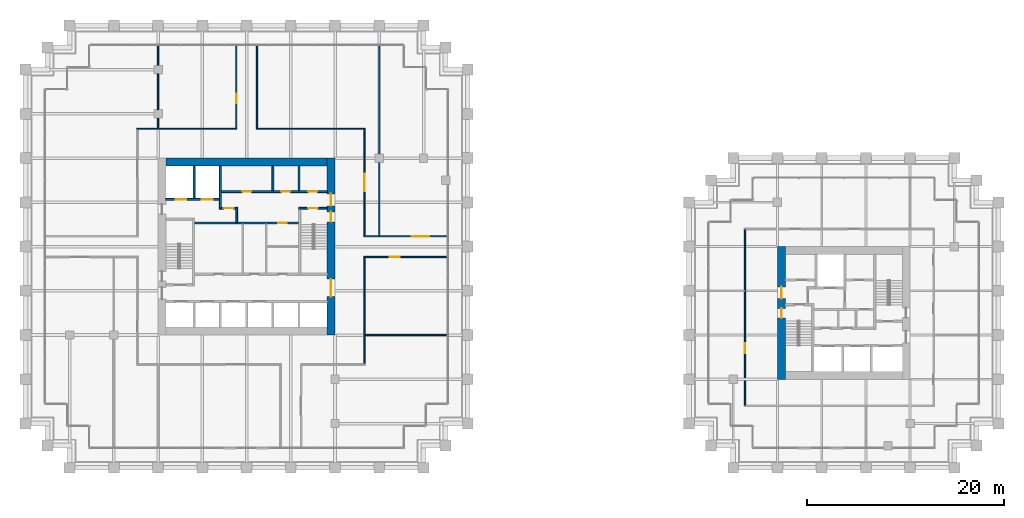
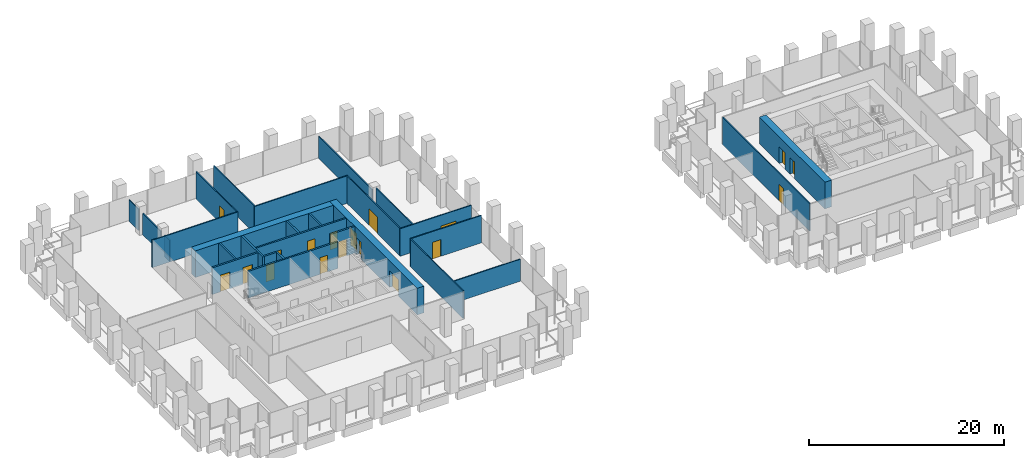
# One storey, part 51 of 54: 28 walls, 18 doors, 18 openings.
"""IFC4 building model written with IfcOpenShell, lengths in metres."""

from ifc_helpers import new_model, si_unit, direction, frame, frame_2d, origin, place, context, subcontext, project, spatial, rectangle, extrude, material, layer, layer_set, type_object, element, fill, save


model = new_model("IFC4")

# Units and contexts
model_context = context("Model", 3, precision=1e-05, world=origin(), true_north=direction((0.0, 1.0)))
body_context = subcontext(model_context, "Body", "Model", "MODEL_VIEW")
ifc_project = project(units=[si_unit("LENGTHUNIT", "METRE"), si_unit("AREAUNIT", "SQUARE_METRE"), si_unit("VOLUMEUNIT", "CUBIC_METRE"), si_unit("PLANEANGLEUNIT", "RADIAN"), si_unit("MASSUNIT", "GRAM", prefix="KILO")], contexts=[model_context])

# Site, building, storey
site_placement = place(None, origin())
site = spatial("IfcSite", under=ifc_project, at=site_placement, CompositionType="ELEMENT")
building_placement = place(site_placement, origin())
building = spatial("IfcBuilding", under=site, at=building_placement, Name="Altepetl Exchange Towers", CompositionType="ELEMENT")
storey_placement = place(building_placement, frame((0.0, 0.0, 65.39990234375)))
storey = spatial("IfcBuildingStorey", under=building, at=storey_placement, Name="L15", CompositionType="ELEMENT", Elevation=65.39990234375)

# Wall, openings, doors
ifc_material_1 = material(Name="Concrete C70/85", Category="concrete")
ifc_layer_1 = layer(ifc_material_1, 0.800048828125)
ifc_layer_set_1 = layer_set([ifc_layer_1], Name="Concrete C70/85")
wall_type_1 = type_object("IfcWallType", Name="Core wall 800 reinforced concrete", PredefinedType="SHEAR", material=ifc_layer_set_1)
wall_1_placement = place(storey_placement, frame((58.10009765625, 40.5, 0.0), z_axis=(0.0, 0.0, 1.0), x_axis=(0.0, 1.0, 0.0)))
wall_1 = element("IfcWall", 1, at=wall_1_placement, inside=storey, type_object=wall_type_1, Name="wall:A:L15:K-coreE", PredefinedType="SHEAR", context=body_context, shape_type="SweptSolid", body=[
    extrude(rectangle(XDim=18.0, YDim=0.800048828125, at=frame_2d((9.0, 0.0))), origin(), (0.0, 0.0, 1.0), 3.35009765625),
])
opening_1_placement = place(wall_1_placement, frame((13.14990234375, 0.0, 0.0)))
opening_1 = element("IfcOpeningElement", 2, at=opening_1_placement, cuts=wall_1, Name="Opening L15.A60", PredefinedType="OPENING", context=body_context, shape_type="SweptSolid", body=[
    extrude(rectangle(XDim=1.199951171875, YDim=2.10009765625, at=frame_2d((0.60009765625, 1.050048828125))), frame((0.0, 0.41015625, 0.0), z_axis=(0.0, -1.0, 0.0), x_axis=(1.0, 0.0, 0.0)), (0.0, 0.0, 1.0), 0.820068359375),
])
opening_2_placement = place(wall_1_placement, frame((3.89990234375, 0.0, 0.0)))
opening_2 = element("IfcOpeningElement", 3, at=opening_2_placement, cuts=wall_1, Name="Opening L15.A61", PredefinedType="OPENING", context=body_context, shape_type="SweptSolid", body=[
    extrude(rectangle(XDim=1.800048828125, YDim=2.10009765625, at=frame_2d((0.89990234375, 1.050048828125))), frame((0.0, 0.41015625, 0.0), z_axis=(0.0, -1.0, 0.0), x_axis=(1.0, 0.0, 0.0)), (0.0, 0.0, 1.0), 0.820068359375),
])
opening_3_placement = place(wall_1_placement, frame((11.52490234375, 0.0, 0.0)))
opening_3 = element("IfcOpeningElement", 4, at=opening_3_placement, cuts=wall_1, Name="Opening L15.A66", PredefinedType="OPENING", context=body_context, shape_type="SweptSolid", body=[
    extrude(rectangle(XDim=1.0, YDim=2.10009765625, at=frame_2d((0.5, 1.050048828125))), frame((0.0, 0.41015625, 0.0), z_axis=(0.0, -1.0, 0.0), x_axis=(1.0, 0.0, 0.0)), (0.0, 0.0, 1.0), 0.820068359375),
])
ifc_material_2 = material(Name="Steel and timber fire door", Category="steel")
door_type_1 = type_object("IfcDoorType", Name="Fire door 1000 x 2100 stair and lobby", OperationType="SINGLE_SWING_LEFT", PredefinedType="DOOR", material=ifc_material_2)
door_1_placement = place(opening_3_placement, origin())
door_1 = element("IfcDoor", 5, at=door_1_placement, inside=storey, type_object=door_type_1, Name="door:A:L15:K-dS2x", OperationType="SINGLE_SWING_RIGHT", OverallHeight=2.10009765625, OverallWidth=1.0, PredefinedType="DOOR", context=body_context, shape_type="SweptSolid", body=[
    extrude(rectangle(XDim=1.0, YDim=2.10009765625, at=frame_2d((0.5, 1.050048828125))), frame((0.0, 0.02490234375, 0.0), z_axis=(0.0, -1.0, 0.0), x_axis=(1.0, 0.0, 0.0)), (0.0, 0.0, 1.0), 0.050048828125),
])
fill(opening_3, door_1)
door_type_2 = type_object("IfcDoorType", Name="Fire door 1200 x 2100 lobby entry", OperationType="SINGLE_SWING_LEFT", PredefinedType="DOOR", material=ifc_material_2)
door_2_placement = place(opening_1_placement, origin())
door_2 = element("IfcDoor", 6, at=door_2_placement, inside=storey, type_object=door_type_2, Name="door:A:L15:K-dLNE", OperationType="SINGLE_SWING_RIGHT", OverallHeight=2.10009765625, OverallWidth=1.199951171875, PredefinedType="DOOR", context=body_context, shape_type="SweptSolid", body=[
    extrude(rectangle(XDim=1.199951171875, YDim=2.10009765625, at=frame_2d((0.60009765625, 1.050048828125))), frame((0.0, 0.02490234375, 0.0), z_axis=(0.0, -1.0, 0.0), x_axis=(1.0, 0.0, 0.0)), (0.0, 0.0, 1.0), 0.050048828125),
])
fill(opening_1, door_2)
door_type_3 = type_object("IfcDoorType", Name="Fire door 1800 x 2100 lobby entry", OperationType="DOUBLE_DOOR_SINGLE_SWING", PredefinedType="DOOR", material=ifc_material_2)
door_3_placement = place(opening_2_placement, origin())
door_3 = element("IfcDoor", 7, at=door_3_placement, inside=storey, type_object=door_type_3, Name="door:A:L15:K-dLSE", OperationType="DOUBLE_DOOR_SINGLE_SWING", OverallHeight=2.10009765625, OverallWidth=1.800048828125, PredefinedType="DOOR", context=body_context, shape_type="SweptSolid", body=[
    extrude(rectangle(XDim=1.800048828125, YDim=2.10009765625, at=frame_2d((0.89990234375, 1.050048828125))), frame((0.0, 0.02490234375, 0.0), z_axis=(0.0, -1.0, 0.0), x_axis=(1.0, 0.0, 0.0)), (0.0, 0.0, 1.0), 0.050048828125),
])
fill(opening_2, door_3)

# Wall
wall_2_placement = place(storey_placement, frame((41.300048828125, 58.10009765625, 0.0)))
element("IfcWall", 8, at=wall_2_placement, inside=storey, type_object=wall_type_1, Name="wall:A:L15:K-coreN", PredefinedType="SHEAR", context=body_context, shape_type="SweptSolid", body=[
    extrude(rectangle(XDim=16.39990234375, YDim=0.800048828125, at=frame_2d((8.199951171875, 0.0))), origin(), (0.0, 0.0, 1.0), 3.35009765625),
])

# Wall, openings, doors
wall_3_placement = place(storey_placement, frame((103.89990234375, 36.0, 0.0), z_axis=(0.0, 0.0, 1.0), x_axis=(0.0, 1.0, 0.0)))
wall_3 = element("IfcWall", 9, at=wall_3_placement, inside=storey, type_object=wall_type_1, Name="wall:B:L15:K-coreW", PredefinedType="SHEAR", context=body_context, shape_type="SweptSolid", body=[
    extrude(rectangle(XDim=13.5, YDim=0.800048828125, at=frame_2d((6.75, 0.0))), origin(), (0.0, 0.0, 1.0), 3.35009765625),
])
opening_4_placement = place(wall_3_placement, frame((8.199951171875, 0.0, 0.0)))
opening_4 = element("IfcOpeningElement", 10, at=opening_4_placement, cuts=wall_3, Name="Opening L15.B60", PredefinedType="OPENING", context=body_context, shape_type="SweptSolid", body=[
    extrude(rectangle(XDim=1.199951171875, YDim=2.10009765625, at=frame_2d((0.60009765625, 1.050048828125))), frame((0.0, 0.41015625, 0.0), z_axis=(0.0, -1.0, 0.0), x_axis=(1.0, 0.0, 0.0)), (0.0, 0.0, 1.0), 0.820068359375),
])
opening_5_placement = place(wall_3_placement, frame((6.22509765625, 0.0, 0.0)))
opening_5 = element("IfcOpeningElement", 11, at=opening_5_placement, cuts=wall_3, Name="Opening L15.B63", PredefinedType="OPENING", context=body_context, shape_type="SweptSolid", body=[
    extrude(rectangle(XDim=1.0, YDim=2.10009765625, at=frame_2d((0.5, 1.050048828125))), frame((0.0, 0.41015625, 0.0), z_axis=(0.0, -1.0, 0.0), x_axis=(1.0, 0.0, 0.0)), (0.0, 0.0, 1.0), 0.820068359375),
])
door_4_placement = place(opening_5_placement, frame((1.0, 0.0, 0.0), x_axis=(-1.0, 0.0, 0.0)))
door_4 = element("IfcDoor", 12, at=door_4_placement, inside=storey, type_object=door_type_1, Name="door:B:L15:K-dS1x", OperationType="SINGLE_SWING_RIGHT", OverallHeight=2.10009765625, OverallWidth=1.0, PredefinedType="DOOR", context=body_context, shape_type="SweptSolid", body=[
    extrude(rectangle(XDim=1.0, YDim=2.10009765625, at=frame_2d((0.5, 1.050048828125))), frame((0.0, 0.02490234375, 0.0), z_axis=(0.0, -1.0, 0.0), x_axis=(1.0, 0.0, 0.0)), (0.0, 0.0, 1.0), 0.050048828125),
])
fill(opening_5, door_4)
door_5_placement = place(opening_4_placement, frame((1.199951171875, 0.0, 0.0), x_axis=(-1.0, 0.0, 0.0)))
door_5 = element("IfcDoor", 13, at=door_5_placement, inside=storey, type_object=door_type_2, Name="door:B:L15:K-dLNW", OperationType="SINGLE_SWING_RIGHT", OverallHeight=2.10009765625, OverallWidth=1.199951171875, PredefinedType="DOOR", context=body_context, shape_type="SweptSolid", body=[
    extrude(rectangle(XDim=1.199951171875, YDim=2.10009765625, at=frame_2d((0.60009765625, 1.050048828125))), frame((0.0, 0.02490234375, 0.0), z_axis=(0.0, -1.0, 0.0), x_axis=(1.0, 0.0, 0.0)), (0.0, 0.0, 1.0), 0.050048828125),
])
fill(opening_4, door_5)

# Wall
ifc_material_3 = material(Name="Concrete blockwork", Category="masonry")
ifc_layer_2 = layer(ifc_material_3, 0.199951171875)
ifc_layer_set_2 = layer_set([ifc_layer_2], Name="Concrete blockwork")
wall_type_2 = type_object("IfcWallType", Name="Lobby wall 200 blockwork", PredefinedType="PARTITIONING", material=ifc_layer_set_2)
wall_4_placement = place(storey_placement, frame((48.5, 51.89990234375, 0.0), z_axis=(0.0, 0.0, 1.0), x_axis=(0.0, 1.0, 0.0)))
element("IfcWall", 14, at=wall_4_placement, inside=storey, type_object=wall_type_2, Name="wall:A:L15:K-ffE", PredefinedType="PARTITIONING", context=body_context, shape_type="SweptSolid", body=[
    extrude(rectangle(XDim=1.60009765625, YDim=0.199951171875, at=frame_2d((0.800048828125, 0.0))), origin(), (0.0, 0.0, 1.0), 3.35009765625),
])

# Wall, opening, door
wall_5_placement = place(storey_placement, frame((46.933349609375, 53.39990234375, 0.0)))
wall_5 = element("IfcWall", 15, at=wall_5_placement, inside=storey, type_object=wall_type_2, Name="wall:A:L15:K-ffN", PredefinedType="PARTITIONING", context=body_context, shape_type="SweptSolid", body=[
    extrude(rectangle(XDim=1.466552734375, YDim=0.199951171875, at=frame_2d((0.7333984375, 0.0))), origin(), (0.0, 0.0, 1.0), 3.35009765625),
])
opening_6_placement = place(wall_5_placement, frame((0.2666015625, 0.0, 0.0)))
opening_6 = element("IfcOpeningElement", 16, at=opening_6_placement, cuts=wall_5, Name="Opening L15.A67", PredefinedType="OPENING", context=body_context, shape_type="SweptSolid", body=[
    extrude(rectangle(XDim=1.0, YDim=2.10009765625, at=frame_2d((0.5, 1.050048828125))), frame((0.0, 0.10986328125, 0.0), z_axis=(0.0, -1.0, 0.0), x_axis=(1.0, 0.0, 0.0)), (0.0, 0.0, 1.0), 0.219970703125),
])
door_6_placement = place(opening_6_placement, frame((1.0, 0.0, 0.0), x_axis=(-1.0, 0.0, 0.0)))
door_6 = element("IfcDoor", 17, at=door_6_placement, inside=storey, type_object=door_type_1, Name="door:A:L15:K-dffN", OperationType="SINGLE_SWING_RIGHT", OverallHeight=2.10009765625, OverallWidth=1.0, PredefinedType="DOOR", context=body_context, shape_type="SweptSolid", body=[
    extrude(rectangle(XDim=1.0, YDim=2.10009765625, at=frame_2d((0.5, 1.050048828125))), frame((0.0, 0.02490234375, 0.0), z_axis=(0.0, -1.0, 0.0), x_axis=(1.0, 0.0, 0.0)), (0.0, 0.0, 1.0), 0.050048828125),
])
fill(opening_6, door_6)

wall_6_placement = place(storey_placement, frame((44.199951171875, 51.89990234375, 0.0)))
wall_6 = element("IfcWall", 18, at=wall_6_placement, inside=storey, type_object=wall_type_2, Name="wall:A:L15:K-zoneN", PredefinedType="PARTITIONING", context=body_context, shape_type="SweptSolid", body=[
    extrude(rectangle(XDim=10.60009765625, YDim=0.199951171875, at=frame_2d((5.300048828125, 0.0))), origin(), (0.0, 0.0, 1.0), 3.35009765625),
])
opening_7_placement = place(wall_6_placement, frame((8.5, 0.0, 0.0)))
opening_7 = element("IfcOpeningElement", 19, at=opening_7_placement, cuts=wall_6, Name="Opening L15.A74", PredefinedType="OPENING", context=body_context, shape_type="SweptSolid", body=[
    extrude(rectangle(XDim=0.89990234375, YDim=2.10009765625, at=frame_2d((0.449951171875, 1.050048828125))), frame((0.0, 0.10986328125, 0.0), z_axis=(0.0, -1.0, 0.0), x_axis=(1.0, 0.0, 0.0)), (0.0, 0.0, 1.0), 0.219970703125),
])
door_type_4 = type_object("IfcDoorType", Name="Fire door 900 x 2100 service room", OperationType="SINGLE_SWING_LEFT", PredefinedType="DOOR", material=ifc_material_2)
door_7_placement = place(opening_7_placement, frame((0.89990234375, 0.0, 0.0), x_axis=(-1.0, 0.0, 0.0)))
door_7 = element("IfcDoor", 20, at=door_7_placement, inside=storey, type_object=door_type_4, Name="door:A:L15:K-dz3", OperationType="SINGLE_SWING_LEFT", OverallHeight=2.10009765625, OverallWidth=0.89990234375, PredefinedType="DOOR", context=body_context, shape_type="SweptSolid", body=[
    extrude(rectangle(XDim=0.89990234375, YDim=2.10009765625, at=frame_2d((0.449951171875, 1.050048828125))), frame((0.0, 0.02490234375, 0.0), z_axis=(0.0, -1.0, 0.0), x_axis=(1.0, 0.0, 0.0)), (0.0, 0.0, 1.0), 0.050048828125),
])
fill(opening_7, door_7)

# Wall
ifc_material_4 = material(Name="Gypsum board on steel studs", Category="steel")
ifc_layer_3 = layer(ifc_material_4, 0.125)
ifc_layer_set_3 = layer_set([ifc_layer_3], Name="Gypsum board on steel studs")
wall_type_3 = type_object("IfcWallType", Name="Partition 125 gypsum board on steel studs", PredefinedType="PARTITIONING", material=ifc_layer_set_3)
wall_7_placement = place(storey_placement, frame((61.5, 40.5, 0.0)))
element("IfcWall", 21, at=wall_7_placement, inside=storey, type_object=wall_type_3, Name="wall:A:L15:P03", PredefinedType="PARTITIONING", context=body_context, shape_type="SweptSolid", body=[
    extrude(rectangle(XDim=8.39990234375, YDim=0.125, at=frame_2d((4.199951171875, 0.0))), origin(), (0.0, 0.0, 1.0), 2.76611328125),
])

# Wall, opening, door
wall_8_placement = place(storey_placement, frame((61.4375, 48.449951171875, 0.0)))
wall_8 = element("IfcWall", 22, at=wall_8_placement, inside=storey, type_object=wall_type_3, Name="wall:A:L15:P05", PredefinedType="PARTITIONING", context=body_context, shape_type="SweptSolid", body=[
    extrude(rectangle(XDim=8.46240234375, YDim=0.125, at=frame_2d((4.231201171875, 0.0))), origin(), (0.0, 0.0, 1.0), 3.4501953125),
])
opening_8_placement = place(wall_8_placement, frame((2.62451171875, 0.0, 0.0)))
opening_8 = element("IfcOpeningElement", 23, at=opening_8_placement, cuts=wall_8, Name="Opening L15.A05", PredefinedType="OPENING", context=body_context, shape_type="SweptSolid", body=[
    extrude(rectangle(XDim=1.0, YDim=2.10009765625, at=frame_2d((0.5, 1.050048828125))), frame((0.0, 0.072509765625, 0.0), z_axis=(0.0, -1.0, 0.0), x_axis=(1.0, 0.0, 0.0)), (0.0, 0.0, 1.0), 0.14501953125),
])
door_type_5 = type_object("IfcDoorType", Name="Fire door 1000 x 2100 single leaf", OperationType="SINGLE_SWING_LEFT", PredefinedType="DOOR", material=ifc_material_2)
door_8_placement = place(opening_8_placement, frame((1.0, 0.0, 0.0), x_axis=(-1.0, 0.0, 0.0)))
door_8 = element("IfcDoor", 24, at=door_8_placement, inside=storey, type_object=door_type_5, Name="door:A:L15:05", OperationType="SINGLE_SWING_LEFT", OverallHeight=2.10009765625, OverallWidth=1.0, PredefinedType="DOOR", context=body_context, shape_type="SweptSolid", body=[
    extrude(rectangle(XDim=1.0, YDim=2.10009765625, at=frame_2d((0.5, 1.050048828125))), frame((0.0, 0.02490234375, 0.0), z_axis=(0.0, -1.0, 0.0), x_axis=(1.0, 0.0, 0.0)), (0.0, 0.0, 1.0), 0.050048828125),
])
fill(opening_8, door_8)

wall_9_placement = place(storey_placement, frame((61.4375, 50.550048828125, 0.0)))
wall_9 = element("IfcWall", 25, at=wall_9_placement, inside=storey, type_object=wall_type_3, Name="wall:A:L15:P07", PredefinedType="PARTITIONING", context=body_context, shape_type="SweptSolid", body=[
    extrude(rectangle(XDim=8.46240234375, YDim=0.125, at=frame_2d((4.231201171875, 0.0))), origin(), (0.0, 0.0, 1.0), 3.4501953125),
])
opening_9_placement = place(wall_9_placement, frame((4.847412109375, 0.0, 0.0)))
opening_9 = element("IfcOpeningElement", 26, at=opening_9_placement, cuts=wall_9, Name="Opening L15.A06", PredefinedType="OPENING", context=body_context, shape_type="SweptSolid", body=[
    extrude(rectangle(XDim=1.800048828125, YDim=2.10009765625, at=frame_2d((0.89990234375, 1.050048828125))), frame((0.0, 0.072509765625, 0.0), z_axis=(0.0, -1.0, 0.0), x_axis=(1.0, 0.0, 0.0)), (0.0, 0.0, 1.0), 0.14501953125),
])
door_type_6 = type_object("IfcDoorType", Name="Fire door 1800 x 2100 double leaf", OperationType="DOUBLE_DOOR_SINGLE_SWING", PredefinedType="DOOR", material=ifc_material_2)
door_9_placement = place(opening_9_placement, origin())
door_9 = element("IfcDoor", 27, at=door_9_placement, inside=storey, type_object=door_type_6, Name="door:A:L15:06", OperationType="DOUBLE_DOOR_SINGLE_SWING", OverallHeight=2.10009765625, OverallWidth=1.800048828125, PredefinedType="DOOR", context=body_context, shape_type="SweptSolid", body=[
    extrude(rectangle(XDim=1.800048828125, YDim=2.10009765625, at=frame_2d((0.89990234375, 1.050048828125))), frame((0.0, 0.02490234375, 0.0), z_axis=(0.0, -1.0, 0.0), x_axis=(1.0, 0.0, 0.0)), (0.0, 0.0, 1.0), 0.050048828125),
])
fill(opening_9, door_9)

# Walls
wall_10_placement = place(storey_placement, frame((38.33740234375, 61.5, 0.0)))
element("IfcWall", 28, at=wall_10_placement, inside=storey, type_object=wall_type_3, Name="wall:A:L15:P08", PredefinedType="PARTITIONING", context=body_context, shape_type="SweptSolid", body=[
    extrude(rectangle(XDim=10.175048828125, YDim=0.125, at=frame_2d((5.08740234375, 0.0))), origin(), (0.0, 0.0, 1.0), 3.4501953125),
])
wall_11_placement = place(storey_placement, frame((50.487548828125, 61.5, 0.0)))
element("IfcWall", 29, at=wall_11_placement, inside=storey, type_object=wall_type_3, Name="wall:A:L15:P09", PredefinedType="PARTITIONING", context=body_context, shape_type="SweptSolid", body=[
    extrude(rectangle(XDim=11.074951171875, YDim=0.125, at=frame_2d((5.53759765625, 0.0))), origin(), (0.0, 0.0, 1.0), 3.4501953125),
])
wall_12_placement = place(storey_placement, frame((40.5, 61.5, 0.0), z_axis=(0.0, 0.0, 1.0), x_axis=(0.0, 1.0, 0.0)))
element("IfcWall", 30, at=wall_12_placement, inside=storey, type_object=wall_type_3, Name="wall:A:L15:P15", PredefinedType="PARTITIONING", context=body_context, shape_type="SweptSolid", body=[
    extrude(rectangle(XDim=1.074951171875, YDim=0.125, at=frame_2d((0.53759765625, 0.0))), origin(), (0.0, 0.0, 1.0), 2.676025390625),
])
wall_13_placement = place(storey_placement, frame((40.5, 63.425048828125, 0.0), z_axis=(0.0, 0.0, 1.0), x_axis=(0.0, 1.0, 0.0)))
element("IfcWall", 31, at=wall_13_placement, inside=storey, type_object=wall_type_3, Name="wall:A:L15:P16", PredefinedType="PARTITIONING", context=body_context, shape_type="SweptSolid", body=[
    extrude(rectangle(XDim=3.64990234375, YDim=0.125, at=frame_2d((1.824951171875, 0.0))), origin(), (0.0, 0.0, 1.0), 2.676025390625),
])
wall_14_placement = place(storey_placement, frame((40.5, 67.925048828125, 0.0), z_axis=(0.0, 0.0, 1.0), x_axis=(0.0, 1.0, 0.0)))
element("IfcWall", 32, at=wall_14_placement, inside=storey, type_object=wall_type_3, Name="wall:A:L15:P17", PredefinedType="PARTITIONING", context=body_context, shape_type="SweptSolid", body=[
    extrude(rectangle(XDim=1.974853515625, YDim=0.125, at=frame_2d((0.9873046875, 0.0))), origin(), (0.0, 0.0, 1.0), 2.676025390625),
])

# Wall, opening, door
wall_15_placement = place(storey_placement, frame((48.449951171875, 61.5625, 0.0), z_axis=(0.0, 0.0, 1.0), x_axis=(0.0, 1.0, 0.0)))
wall_15 = element("IfcWall", 33, at=wall_15_placement, inside=storey, type_object=wall_type_3, Name="wall:A:L15:P18", PredefinedType="PARTITIONING", context=body_context, shape_type="SweptSolid", body=[
    extrude(rectangle(XDim=8.33740234375, YDim=0.125, at=frame_2d((4.168701171875, 0.0))), origin(), (0.0, 0.0, 1.0), 3.4501953125),
])
opening_10_placement = place(wall_15_placement, frame((2.49951171875, 0.0, 0.0)))
opening_10 = element("IfcOpeningElement", 34, at=opening_10_placement, cuts=wall_15, Name="Opening L15.A08", PredefinedType="OPENING", context=body_context, shape_type="SweptSolid", body=[
    extrude(rectangle(XDim=1.0, YDim=2.10009765625, at=frame_2d((0.5, 1.050048828125))), frame((0.0, 0.072509765625, 0.0), z_axis=(0.0, -1.0, 0.0), x_axis=(1.0, 0.0, 0.0)), (0.0, 0.0, 1.0), 0.14501953125),
])
door_10_placement = place(opening_10_placement, origin())
door_10 = element("IfcDoor", 35, at=door_10_placement, inside=storey, type_object=door_type_5, Name="door:A:L15:08", OperationType="SINGLE_SWING_LEFT", OverallHeight=2.10009765625, OverallWidth=1.0, PredefinedType="DOOR", context=body_context, shape_type="SweptSolid", body=[
    extrude(rectangle(XDim=1.0, YDim=2.10009765625, at=frame_2d((0.5, 1.050048828125))), frame((0.0, 0.02490234375, 0.0), z_axis=(0.0, -1.0, 0.0), x_axis=(1.0, 0.0, 0.0)), (0.0, 0.0, 1.0), 0.050048828125),
])
fill(opening_10, door_10)

# Walls
wall_16_placement = place(storey_placement, frame((50.550048828125, 61.5625, 0.0), z_axis=(0.0, 0.0, 1.0), x_axis=(0.0, 1.0, 0.0)))
element("IfcWall", 36, at=wall_16_placement, inside=storey, type_object=wall_type_3, Name="wall:A:L15:P19", PredefinedType="PARTITIONING", context=body_context, shape_type="SweptSolid", body=[
    extrude(rectangle(XDim=8.33740234375, YDim=0.125, at=frame_2d((4.168701171875, 0.0))), origin(), (0.0, 0.0, 1.0), 3.4501953125),
])
wall_17_placement = place(storey_placement, frame((61.5, 37.5625, 0.0), z_axis=(0.0, 0.0, 1.0), x_axis=(0.0, 1.0, 0.0)))
element("IfcWall", 37, at=wall_17_placement, inside=storey, type_object=wall_type_3, Name="wall:A:L15:P22", PredefinedType="PARTITIONING", context=body_context, shape_type="SweptSolid", body=[
    extrude(rectangle(XDim=10.824951171875, YDim=0.125, at=frame_2d((5.41259765625, 0.0))), origin(), (0.0, 0.0, 1.0), 3.4501953125),
])

# Wall, opening, door
wall_18_placement = place(storey_placement, frame((61.5, 50.612548828125, 0.0), z_axis=(0.0, 0.0, 1.0), x_axis=(0.0, 1.0, 0.0)))
wall_18 = element("IfcWall", 38, at=wall_18_placement, inside=storey, type_object=wall_type_3, Name="wall:A:L15:P23", PredefinedType="PARTITIONING", context=body_context, shape_type="SweptSolid", body=[
    extrude(rectangle(XDim=10.824951171875, YDim=0.125, at=frame_2d((5.41259765625, 0.0))), origin(), (0.0, 0.0, 1.0), 3.4501953125),
])
opening_11_placement = place(wall_18_placement, frame((4.512451171875, 0.0, 0.0)))
opening_11 = element("IfcOpeningElement", 39, at=opening_11_placement, cuts=wall_18, Name="Opening L15.A07", PredefinedType="OPENING", context=body_context, shape_type="SweptSolid", body=[
    extrude(rectangle(XDim=1.800048828125, YDim=2.10009765625, at=frame_2d((0.89990234375, 1.050048828125))), frame((0.0, 0.072509765625, 0.0), z_axis=(0.0, -1.0, 0.0), x_axis=(1.0, 0.0, 0.0)), (0.0, 0.0, 1.0), 0.14501953125),
])
door_11_placement = place(opening_11_placement, frame((1.800048828125, 0.0, 0.0), x_axis=(-1.0, 0.0, 0.0)))
door_11 = element("IfcDoor", 40, at=door_11_placement, inside=storey, type_object=door_type_6, Name="door:A:L15:07", OperationType="DOUBLE_DOOR_SINGLE_SWING", OverallHeight=2.10009765625, OverallWidth=1.800048828125, PredefinedType="DOOR", context=body_context, shape_type="SweptSolid", body=[
    extrude(rectangle(XDim=1.800048828125, YDim=2.10009765625, at=frame_2d((0.89990234375, 1.050048828125))), frame((0.0, 0.02490234375, 0.0), z_axis=(0.0, -1.0, 0.0), x_axis=(1.0, 0.0, 0.0)), (0.0, 0.0, 1.0), 0.050048828125),
])
fill(opening_11, door_11)

# Walls
wall_19_placement = place(storey_placement, frame((63.0, 50.550048828125, 0.0), z_axis=(0.0, 0.0, 1.0), x_axis=(0.0, 1.0, 0.0)))
element("IfcWall", 41, at=wall_19_placement, inside=storey, type_object=wall_type_3, Name="wall:A:L15:P24", PredefinedType="PARTITIONING", context=body_context, shape_type="SweptSolid", body=[
    extrude(rectangle(XDim=7.52490234375, YDim=0.125, at=frame_2d((3.762451171875, 0.0))), origin(), (0.0, 0.0, 1.0), 3.4501953125),
])
wall_20_placement = place(storey_placement, frame((63.0, 58.925048828125, 0.0), z_axis=(0.0, 0.0, 1.0), x_axis=(0.0, 1.0, 0.0)))
element("IfcWall", 42, at=wall_20_placement, inside=storey, type_object=wall_type_3, Name="wall:A:L15:P25", PredefinedType="PARTITIONING", context=body_context, shape_type="SweptSolid", body=[
    extrude(rectangle(XDim=10.974853515625, YDim=0.125, at=frame_2d((5.4873046875, 0.0))), origin(), (0.0, 0.0, 1.0), 2.76611328125),
])

# Wall, opening, door
wall_21_placement = place(storey_placement, frame((100.199951171875, 33.362548828125, 0.0), z_axis=(0.0, 0.0, 1.0), x_axis=(0.0, 1.0, 0.0)))
wall_21 = element("IfcWall", 43, at=wall_21_placement, inside=storey, type_object=wall_type_3, Name="wall:B:L15:P06", PredefinedType="PARTITIONING", context=body_context, shape_type="SweptSolid", body=[
    extrude(rectangle(XDim=17.875, YDim=0.125, at=frame_2d((8.9375, 0.0))), origin(), (0.0, 0.0, 1.0), 3.4501953125),
])
opening_12_placement = place(wall_21_placement, frame((5.28759765625, 0.0, 0.0)))
opening_12 = element("IfcOpeningElement", 44, at=opening_12_placement, cuts=wall_21, Name="Opening L15.B01", PredefinedType="OPENING", context=body_context, shape_type="SweptSolid", body=[
    extrude(rectangle(XDim=1.0, YDim=2.10009765625, at=frame_2d((0.5, 1.050048828125))), frame((0.0, 0.072509765625, 0.0), z_axis=(0.0, -1.0, 0.0), x_axis=(1.0, 0.0, 0.0)), (0.0, 0.0, 1.0), 0.14501953125),
])
door_12_placement = place(opening_12_placement, origin())
door_12 = element("IfcDoor", 45, at=door_12_placement, inside=storey, type_object=door_type_5, Name="door:B:L15:01", OperationType="SINGLE_SWING_LEFT", OverallHeight=2.10009765625, OverallWidth=1.0, PredefinedType="DOOR", context=body_context, shape_type="SweptSolid", body=[
    extrude(rectangle(XDim=1.0, YDim=2.10009765625, at=frame_2d((0.5, 1.050048828125))), frame((0.0, 0.02490234375, 0.0), z_axis=(0.0, -1.0, 0.0), x_axis=(1.0, 0.0, 0.0)), (0.0, 0.0, 1.0), 0.050048828125),
])
fill(opening_12, door_12)

# Walls
ifc_material_5 = material(Name="Concrete C40/50", Category="concrete")
ifc_layer_4 = layer(ifc_material_5, 0.199951171875)
ifc_layer_set_4 = layer_set([ifc_layer_4], Name="Concrete C40/50")
wall_type_4 = type_object("IfcWallType", Name="Shaft wall 200 reinforced concrete", PredefinedType="SHEAR", material=ifc_layer_set_4)
wall_22_placement = place(storey_placement, frame((44.166748046875, 57.699951171875, 0.0), z_axis=(0.0, 0.0, 1.0), x_axis=(0.0, -1.0, 0.0)))
element("IfcWall", 46, at=wall_22_placement, inside=storey, type_object=wall_type_4, Name="wall:A:L15:K-divN1", PredefinedType="SHEAR", context=body_context, shape_type="SweptSolid", body=[
    extrude(rectangle(XDim=3.300048828125, YDim=0.199951171875, at=frame_2d((1.64990234375, 0.0))), origin(), (0.0, 0.0, 1.0), 3.35009765625),
])
wall_23_placement = place(storey_placement, frame((46.833251953125, 57.699951171875, 0.0), z_axis=(0.0, 0.0, 1.0), x_axis=(0.0, -1.0, 0.0)))
element("IfcWall", 47, at=wall_23_placement, inside=storey, type_object=wall_type_4, Name="wall:A:L15:K-divN2", PredefinedType="SHEAR", context=body_context, shape_type="SweptSolid", body=[
    extrude(rectangle(XDim=4.39990234375, YDim=0.199951171875, at=frame_2d((2.199951171875, 0.0))), origin(), (0.0, 0.0, 1.0), 3.35009765625),
])
for number, where, z_axis, x_axis, name in (
    (48, (52.166748046875, 57.699951171875, 0.0), (0.0, 0.0, 1.0), (0.0, -1.0, 0.0), "wall:A:L15:K-divN4"),
    (49, (54.833251953125, 57.699951171875, 0.0), (0.0, 0.0, 1.0), (0.0, -1.0, 0.0), "wall:A:L15:K-divN5"),
):
    element("IfcWall", number, at=place(storey_placement, frame(where, z_axis=z_axis, x_axis=x_axis)), inside=storey, type_object=wall_type_4, Name=name, PredefinedType="SHEAR", context=body_context, shape_type="SweptSolid", body=[
        extrude(rectangle(XDim=2.5, YDim=0.199951171875, at=frame_2d((1.25, 0.0))), origin(), (0.0, 0.0, 1.0), 3.35009765625),
    ])

# Wall, openings, doors
wall_24_placement = place(storey_placement, frame((46.933349609375, 55.10009765625, 0.0)))
wall_24 = element("IfcWall", 50, at=wall_24_placement, inside=storey, type_object=wall_type_4, Name="wall:A:L15:K-frontNb", PredefinedType="SHEAR", context=body_context, shape_type="SweptSolid", body=[
    extrude(rectangle(XDim=10.7666015625, YDim=0.199951171875, at=frame_2d((5.38330078125, 0.0))), origin(), (0.0, 0.0, 1.0), 3.35009765625),
])
opening_13_placement = place(wall_24_placement, frame((8.83349609375, 0.0, 0.0)))
opening_13 = element("IfcOpeningElement", 51, at=opening_13_placement, cuts=wall_24, Name="Opening L15.A69", PredefinedType="OPENING", context=body_context, shape_type="SweptSolid", body=[
    extrude(rectangle(XDim=0.89990234375, YDim=2.10009765625, at=frame_2d((0.449951171875, 1.050048828125))), frame((0.0, 0.10986328125, 0.0), z_axis=(0.0, -1.0, 0.0), x_axis=(1.0, 0.0, 0.0)), (0.0, 0.0, 1.0), 0.219970703125),
])
opening_14_placement = place(wall_24_placement, frame((2.11669921875, 0.0, 0.0)))
opening_14 = element("IfcOpeningElement", 52, at=opening_14_placement, cuts=wall_24, Name="Opening L15.A70", PredefinedType="OPENING", context=body_context, shape_type="SweptSolid", body=[
    extrude(rectangle(XDim=0.89990234375, YDim=2.10009765625, at=frame_2d((0.449951171875, 1.050048828125))), frame((0.0, 0.10986328125, 0.0), z_axis=(0.0, -1.0, 0.0), x_axis=(1.0, 0.0, 0.0)), (0.0, 0.0, 1.0), 0.219970703125),
])
opening_15_placement = place(wall_24_placement, frame((6.11669921875, 0.0, 0.0)))
opening_15 = element("IfcOpeningElement", 53, at=opening_15_placement, cuts=wall_24, Name="Opening L15.A71", PredefinedType="OPENING", context=body_context, shape_type="SweptSolid", body=[
    extrude(rectangle(XDim=0.89990234375, YDim=2.10009765625, at=frame_2d((0.449951171875, 1.050048828125))), frame((0.0, 0.10986328125, 0.0), z_axis=(0.0, -1.0, 0.0), x_axis=(1.0, 0.0, 0.0)), (0.0, 0.0, 1.0), 0.219970703125),
])
door_13_placement = place(opening_13_placement, origin())
door_13 = element("IfcDoor", 54, at=door_13_placement, inside=storey, type_object=door_type_4, Name="door:A:L15:K-driser", OperationType="SINGLE_SWING_RIGHT", OverallHeight=2.10009765625, OverallWidth=0.89990234375, PredefinedType="DOOR", context=body_context, shape_type="SweptSolid", body=[
    extrude(rectangle(XDim=0.89990234375, YDim=2.10009765625, at=frame_2d((0.449951171875, 1.050048828125))), frame((0.0, 0.02490234375, 0.0), z_axis=(0.0, -1.0, 0.0), x_axis=(1.0, 0.0, 0.0)), (0.0, 0.0, 1.0), 0.050048828125),
])
fill(opening_13, door_13)
door_14_placement = place(opening_14_placement, origin())
door_14 = element("IfcDoor", 55, at=door_14_placement, inside=storey, type_object=door_type_4, Name="door:A:L15:K-dslotN2", OperationType="SINGLE_SWING_RIGHT", OverallHeight=2.10009765625, OverallWidth=0.89990234375, PredefinedType="DOOR", context=body_context, shape_type="SweptSolid", body=[
    extrude(rectangle(XDim=0.89990234375, YDim=2.10009765625, at=frame_2d((0.449951171875, 1.050048828125))), frame((0.0, 0.02490234375, 0.0), z_axis=(0.0, -1.0, 0.0), x_axis=(1.0, 0.0, 0.0)), (0.0, 0.0, 1.0), 0.050048828125),
])
fill(opening_14, door_14)
door_15_placement = place(opening_15_placement, origin())
door_15 = element("IfcDoor", 56, at=door_15_placement, inside=storey, type_object=door_type_4, Name="door:A:L15:K-dslotN4", OperationType="SINGLE_SWING_RIGHT", OverallHeight=2.10009765625, OverallWidth=0.89990234375, PredefinedType="DOOR", context=body_context, shape_type="SweptSolid", body=[
    extrude(rectangle(XDim=0.89990234375, YDim=2.10009765625, at=frame_2d((0.449951171875, 1.050048828125))), frame((0.0, 0.02490234375, 0.0), z_axis=(0.0, -1.0, 0.0), x_axis=(1.0, 0.0, 0.0)), (0.0, 0.0, 1.0), 0.050048828125),
])
fill(opening_15, door_15)

wall_25_placement = place(storey_placement, frame((41.300048828125, 54.300048828125, 0.0)))
wall_25 = element("IfcWall", 57, at=wall_25_placement, inside=storey, type_object=wall_type_4, Name="wall:A:L15:K-frontNd", PredefinedType="SHEAR", context=body_context, shape_type="SweptSolid", body=[
    extrude(rectangle(XDim=5.433349609375, YDim=0.199951171875, at=frame_2d((2.716796875, 0.0))), origin(), (0.0, 0.0, 1.0), 3.35009765625),
])
opening_16_placement = place(wall_25_placement, frame((0.9833984375, 0.0, 0.0)))
opening_16 = element("IfcOpeningElement", 58, at=opening_16_placement, cuts=wall_25, Name="Opening L15.A76", PredefinedType="OPENING", context=body_context, shape_type="SweptSolid", body=[
    extrude(rectangle(XDim=1.10009765625, YDim=2.10009765625, at=frame_2d((0.550048828125, 1.050048828125))), frame((0.0, 0.10986328125, 0.0), z_axis=(0.0, -1.0, 0.0), x_axis=(1.0, 0.0, 0.0)), (0.0, 0.0, 1.0), 0.219970703125),
])
opening_17_placement = place(wall_25_placement, frame((3.64990234375, 0.0, 0.0)))
opening_17 = element("IfcOpeningElement", 59, at=opening_17_placement, cuts=wall_25, Name="Opening L15.A77", PredefinedType="OPENING", context=body_context, shape_type="SweptSolid", body=[
    extrude(rectangle(XDim=1.10009765625, YDim=2.10009765625, at=frame_2d((0.550048828125, 1.050048828125))), frame((0.0, 0.10986328125, 0.0), z_axis=(0.0, -1.0, 0.0), x_axis=(1.0, 0.0, 0.0)), (0.0, 0.0, 1.0), 0.219970703125),
])
ifc_material_6 = material(Name="Stainless steel", Category="steel")
door_type_7 = type_object("IfcDoorType", Name="Lift landing door 1100 x 2100", OperationType="SLIDING_TO_LEFT", PredefinedType="DOOR", material=ifc_material_6)
door_16_placement = place(opening_16_placement, origin())
door_16 = element("IfcDoor", 60, at=door_16_placement, inside=storey, type_object=door_type_7, Name="Landing door FFL1", OperationType="SLIDING_TO_LEFT", OverallHeight=2.10009765625, OverallWidth=1.10009765625, PredefinedType="DOOR", context=body_context, shape_type="SweptSolid", body=[
    extrude(rectangle(XDim=1.10009765625, YDim=2.10009765625, at=frame_2d((0.550048828125, 1.050048828125))), frame((0.0, 0.02490234375, 0.0), z_axis=(0.0, -1.0, 0.0), x_axis=(1.0, 0.0, 0.0)), (0.0, 0.0, 1.0), 0.050048828125),
])
fill(opening_16, door_16)
door_17_placement = place(opening_17_placement, origin())
door_17 = element("IfcDoor", 61, at=door_17_placement, inside=storey, type_object=door_type_7, Name="Landing door FFL2", OperationType="SLIDING_TO_LEFT", OverallHeight=2.10009765625, OverallWidth=1.10009765625, PredefinedType="DOOR", context=body_context, shape_type="SweptSolid", body=[
    extrude(rectangle(XDim=1.10009765625, YDim=2.10009765625, at=frame_2d((0.550048828125, 1.050048828125))), frame((0.0, 0.02490234375, 0.0), z_axis=(0.0, -1.0, 0.0), x_axis=(1.0, 0.0, 0.0)), (0.0, 0.0, 1.0), 0.050048828125),
])
fill(opening_17, door_17)

# Wall, opening, door
ifc_layer_5 = layer(ifc_material_5, 0.199951171875)
ifc_layer_set_5 = layer_set([ifc_layer_5], Name="Concrete C40/50")
wall_type_5 = type_object("IfcWallType", Name="Stair wall 200 reinforced concrete", PredefinedType="SHEAR", material=ifc_layer_set_5)
wall_26_placement = place(storey_placement, frame((54.800048828125, 53.39990234375, 0.0)))
wall_26 = element("IfcWall", 62, at=wall_26_placement, inside=storey, type_object=wall_type_5, Name="wall:A:L15:K-stS2N", PredefinedType="SHEAR", context=body_context, shape_type="SweptSolid", body=[
    extrude(rectangle(XDim=2.89990234375, YDim=0.199951171875, at=frame_2d((1.449951171875, 0.0))), origin(), (0.0, 0.0, 1.0), 3.35009765625),
])
opening_18_placement = place(wall_26_placement, frame((0.949951171875, 0.0, 0.0)))
opening_18 = element("IfcOpeningElement", 63, at=opening_18_placement, cuts=wall_26, Name="Opening L15.A65", PredefinedType="OPENING", context=body_context, shape_type="SweptSolid", body=[
    extrude(rectangle(XDim=1.0, YDim=2.10009765625, at=frame_2d((0.5, 1.050048828125))), frame((0.0, 0.10986328125, 0.0), z_axis=(0.0, -1.0, 0.0), x_axis=(1.0, 0.0, 0.0)), (0.0, 0.0, 1.0), 0.219970703125),
])
door_18_placement = place(opening_18_placement, frame((1.0, 0.0, 0.0), x_axis=(-1.0, 0.0, 0.0)))
door_18 = element("IfcDoor", 64, at=door_18_placement, inside=storey, type_object=door_type_1, Name="door:A:L15:K-dS2in", OperationType="SINGLE_SWING_LEFT", OverallHeight=2.10009765625, OverallWidth=1.0, PredefinedType="DOOR", context=body_context, shape_type="SweptSolid", body=[
    extrude(rectangle(XDim=1.0, YDim=2.10009765625, at=frame_2d((0.5, 1.050048828125))), frame((0.0, 0.02490234375, 0.0), z_axis=(0.0, -1.0, 0.0), x_axis=(1.0, 0.0, 0.0)), (0.0, 0.0, 1.0), 0.050048828125),
])
fill(opening_18, door_18)

save(model, "model.ifc")
